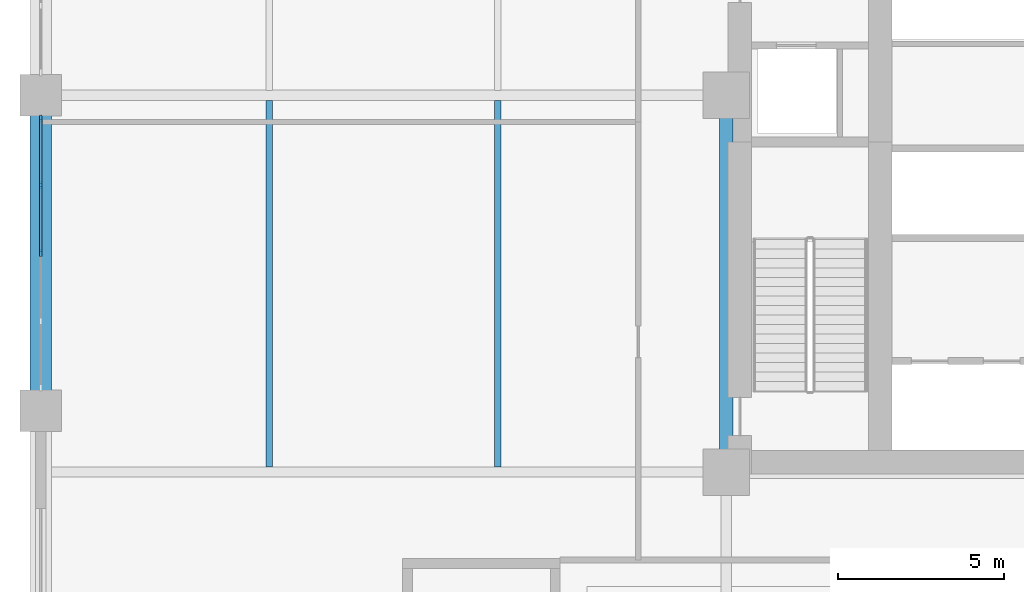
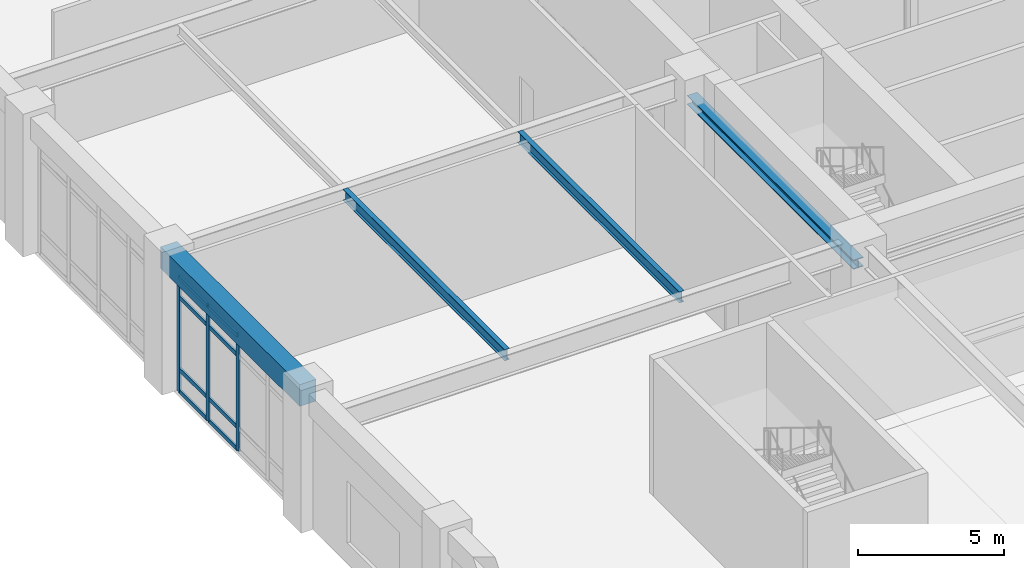
# One storey, part 3 of 21: 12 members, 3 beams, 1 element without a shape of its own.
"""IFC4 building model written with IfcOpenShell, lengths in metres."""

from ifc_helpers import new_model, si_unit, direction, frame, origin, origin_2d, place, context, subcontext, project, spatial, rectangle, i_section, extrude, material, layer, layer_set, material_profile, profile_set, type_object, element, aggregate, save


model = new_model("IFC4")

# Units and contexts
model_context = context("Model", 3, precision=1e-05, world=origin(), true_north=direction((0.0, 1.0)))
body_context = subcontext(model_context, "Body", "Model", "MODEL_VIEW")
ifc_project = project(units=[si_unit("LENGTHUNIT", "METRE"), si_unit("AREAUNIT", "SQUARE_METRE"), si_unit("VOLUMEUNIT", "CUBIC_METRE"), si_unit("PLANEANGLEUNIT", "RADIAN"), si_unit("MASSUNIT", "GRAM", prefix="KILO")], contexts=[model_context])

# Site, building, storey
site_placement = place(None, origin())
site = spatial("IfcSite", under=ifc_project, at=site_placement, CompositionType="ELEMENT")
building_placement = place(site_placement, origin())
building = spatial("IfcBuilding", under=site, at=building_placement, Name="Nhamokura Convention Tower", CompositionType="ELEMENT")
storey_placement = place(building_placement, frame((0.0, 0.0, 17.85009765625)))
storey = spatial("IfcBuildingStorey", under=building, at=storey_placement, Name="L03", CompositionType="ELEMENT", Elevation=17.85009765625)

# Curtain wall, members
ifc_material_1 = material(Name="Anodised bronze aluminium AA6063-T6", Category="aluminium")
ifc_layer = layer(ifc_material_1, 0.199951171875)
ifc_layer_set = layer_set([ifc_layer], Name="CWSystem_ConventionFoyer")
curtain_wall_type = type_object("IfcCurtainWallType", Name="CWSystem_ConventionFoyer", PredefinedType="NOTDEFINED", material=ifc_layer_set)
curtain_wall_placement = place(storey_placement, origin())
curtain_wall = element("IfcCurtainWall", 1, at=curtain_wall_placement, inside=storey, type_object=curtain_wall_type, Name="L03 Curtain Wall ENV-L03-CW-W2", PredefinedType="NOTDEFINED")
ifc_material_2 = material(Name="Anodised bronze aluminium AA6063-T6", Category="aluminium")
ifc_material_profile_1 = material_profile(ifc_material_2, rectangle(XDim=0.074951171875, YDim=0.199951171875, at=origin_2d()))
ifc_profile_set_1 = profile_set([ifc_material_profile_1], Name="Anodised bronze aluminium AA6063-T6")
member_type_1 = type_object("IfcMemberType", Name="CWMullion_2", PredefinedType="MULLION", material=ifc_profile_set_1)
member_1_placement = place(storey_placement, frame((0.0, 27.25, 0.0), z_axis=(0.0, 0.0, 1.0), x_axis=(-1.0, 0.0, 0.0)))
member_1 = element("IfcMember", 2, at=member_1_placement, type_object=member_type_1, Name="CW-02 mullion 3", PredefinedType="MULLION", context=body_context, shape_type="SweptSolid", body=[
    extrude(rectangle(XDim=0.074951171875, YDim=0.199951171875, at=origin_2d()), origin(), (0.0, 0.0, 1.0), 4.809814453125),
])
member_2_placement = place(storey_placement, frame((0.0, 29.300048828125, 0.0), z_axis=(0.0, 0.0, 1.0), x_axis=(-1.0, 0.0, 0.0)))
member_2 = element("IfcMember", 3, at=member_2_placement, type_object=member_type_1, Name="CW-02 mullion 4", PredefinedType="MULLION", context=body_context, shape_type="SweptSolid", body=[
    extrude(rectangle(XDim=0.074951171875, YDim=0.199951171875, at=origin_2d()), origin(), (0.0, 0.0, 1.0), 4.809814453125),
])
member_3_placement = place(storey_placement, frame((0.0, 31.3125, 0.0), z_axis=(0.0, 0.0, 1.0), x_axis=(-1.0, 0.0, 0.0)))
member_3 = element("IfcMember", 4, at=member_3_placement, type_object=member_type_1, Name="CW-02 mullion 5", PredefinedType="MULLION", context=body_context, shape_type="SweptSolid", body=[
    extrude(rectangle(XDim=0.074951171875, YDim=0.199951171875, at=origin_2d()), origin(), (0.0, 0.0, 1.0), 4.809814453125),
])
ifc_material_3 = material(Name="Anodised bronze aluminium AA6063-T6", Category="aluminium")
ifc_material_profile_2 = material_profile(ifc_material_3, rectangle(XDim=0.074951171875, YDim=0.169921875, at=origin_2d()))
ifc_profile_set_2 = profile_set([ifc_material_profile_2], Name="Anodised bronze aluminium AA6063-T6")
member_type_2 = type_object("IfcMemberType", Name="CWTransom_2", PredefinedType="USERDEFINED", material=ifc_profile_set_2)
member_4_placement = place(storey_placement, frame((0.0, 27.28759765625, 0.037353515625), z_axis=(0.0, 1.0, 0.0), x_axis=(-1.0, 0.0, 0.0)))
member_4 = element("IfcMember", 5, at=member_4_placement, type_object=member_type_2, Name="CW-02 transom 3.1", ObjectType="TRANSOM", PredefinedType="USERDEFINED", context=body_context, shape_type="SweptSolid", body=[
    extrude(rectangle(XDim=0.074951171875, YDim=0.169921875, at=origin_2d()), origin(), (0.0, 0.0, 1.0), 1.974853515625),
])
member_5_placement = place(storey_placement, frame((0.0, 27.28759765625, 0.949951171875), z_axis=(0.0, 1.0, 0.0), x_axis=(-1.0, 0.0, 0.0)))
member_5 = element("IfcMember", 6, at=member_5_placement, type_object=member_type_2, Name="CW-02 transom 3.2", ObjectType="TRANSOM", PredefinedType="USERDEFINED", context=body_context, shape_type="SweptSolid", body=[
    extrude(rectangle(XDim=0.074951171875, YDim=0.169921875, at=origin_2d()), origin(), (0.0, 0.0, 1.0), 1.974853515625),
])
member_6_placement = place(storey_placement, frame((0.0, 27.28759765625, 3.9599609375), z_axis=(0.0, 1.0, 0.0), x_axis=(-1.0, 0.0, 0.0)))
member_6 = element("IfcMember", 7, at=member_6_placement, type_object=member_type_2, Name="CW-02 transom 3.3", ObjectType="TRANSOM", PredefinedType="USERDEFINED", context=body_context, shape_type="SweptSolid", body=[
    extrude(rectangle(XDim=0.074951171875, YDim=0.169921875, at=origin_2d()), origin(), (0.0, 0.0, 1.0), 1.974853515625),
])
member_7_placement = place(storey_placement, frame((0.0, 27.28759765625, 4.7724609375), z_axis=(0.0, 1.0, 0.0), x_axis=(-1.0, 0.0, 0.0)))
member_7 = element("IfcMember", 8, at=member_7_placement, type_object=member_type_2, Name="CW-02 transom 3.4", ObjectType="TRANSOM", PredefinedType="USERDEFINED", context=body_context, shape_type="SweptSolid", body=[
    extrude(rectangle(XDim=0.074951171875, YDim=0.169921875, at=origin_2d()), origin(), (0.0, 0.0, 1.0), 1.974853515625),
])
member_8_placement = place(storey_placement, frame((0.0, 29.33740234375, 0.037353515625), z_axis=(0.0, 1.0, 0.0), x_axis=(-1.0, 0.0, 0.0)))
member_8 = element("IfcMember", 9, at=member_8_placement, type_object=member_type_2, Name="CW-02 transom 4.1", ObjectType="TRANSOM", PredefinedType="USERDEFINED", context=body_context, shape_type="SweptSolid", body=[
    extrude(rectangle(XDim=0.074951171875, YDim=0.169921875, at=origin_2d()), origin(), (0.0, 0.0, 1.0), 1.9375),
])
member_9_placement = place(storey_placement, frame((0.0, 29.33740234375, 0.949951171875), z_axis=(0.0, 1.0, 0.0), x_axis=(-1.0, 0.0, 0.0)))
member_9 = element("IfcMember", 10, at=member_9_placement, type_object=member_type_2, Name="CW-02 transom 4.2", ObjectType="TRANSOM", PredefinedType="USERDEFINED", context=body_context, shape_type="SweptSolid", body=[
    extrude(rectangle(XDim=0.074951171875, YDim=0.169921875, at=origin_2d()), origin(), (0.0, 0.0, 1.0), 1.9375),
])
member_10_placement = place(storey_placement, frame((0.0, 29.33740234375, 3.9599609375), z_axis=(0.0, 1.0, 0.0), x_axis=(-1.0, 0.0, 0.0)))
member_10 = element("IfcMember", 11, at=member_10_placement, type_object=member_type_2, Name="CW-02 transom 4.3", ObjectType="TRANSOM", PredefinedType="USERDEFINED", context=body_context, shape_type="SweptSolid", body=[
    extrude(rectangle(XDim=0.074951171875, YDim=0.169921875, at=origin_2d()), origin(), (0.0, 0.0, 1.0), 1.9375),
])
member_11_placement = place(storey_placement, frame((0.0, 29.33740234375, 4.7724609375), z_axis=(0.0, 1.0, 0.0), x_axis=(-1.0, 0.0, 0.0)))
member_11 = element("IfcMember", 12, at=member_11_placement, type_object=member_type_2, Name="CW-02 transom 4.4", ObjectType="TRANSOM", PredefinedType="USERDEFINED", context=body_context, shape_type="SweptSolid", body=[
    extrude(rectangle(XDim=0.074951171875, YDim=0.169921875, at=origin_2d()), origin(), (0.0, 0.0, 1.0), 1.9375),
])
aggregate(curtain_wall, [member_1, member_2, member_3, member_4, member_5, member_6, member_7, member_8, member_9, member_10, member_11])

# Beams
ifc_material_4 = material(Name="Steel ASTM A992 Gr 50", Category="steel")
ifc_material_profile_3 = material_profile(ifc_material_4, i_section(OverallWidth=0.19189453125, OverallDepth=0.462890625, WebThickness=0.010498046875, FlangeThickness=0.017578125, at=origin_2d()))
ifc_profile_set_3 = profile_set([ifc_material_profile_3], Name="Steel ASTM A992 Gr 50")
beam_type_1 = type_object("IfcBeamType", Name="FloorJoist_W460X89", PredefinedType="JOIST", material=ifc_profile_set_3)
for number, where, z_axis, x_axis, name in (
    (13, (6.88330078125, 20.802001953125, 5.478515625), (0.0, 1.0, 0.0), (-1.0, 0.0, 0.0), "L03 Composite Floor Joist W1A"),
    (14, (13.7666015625, 20.802001953125, 5.478515625), (0.0, 1.0, 0.0), (-1.0, 0.0, 0.0), "L03 Composite Floor Joist W2A"),
):
    element("IfcBeam", number, at=place(storey_placement, frame(where, z_axis=z_axis, x_axis=x_axis)), inside=storey, type_object=beam_type_1, Name=name, PredefinedType="JOIST", context=body_context, shape_type="SweptSolid", body=[
        extrude(i_section(OverallWidth=0.19189453125, OverallDepth=0.462890625, WebThickness=0.010498046875, FlangeThickness=0.017578125, at=origin_2d()), origin(), (0.0, 0.0, 1.0), 11.0458984375),
    ])

# Member
ifc_material_5 = material(Name="Steel ASTM A572 Gr 50", Category="steel")
ifc_material_profile_4 = material_profile(ifc_material_5, i_section(OverallWidth=0.39794921875, OverallDepth=0.386962890625, WebThickness=0.02099609375, FlangeThickness=0.033203125, at=origin_2d()))
ifc_profile_set_4 = profile_set([ifc_material_profile_4], Name="Steel ASTM A572 Gr 50")
member_type_3 = type_object("IfcMemberType", Name="HallTrussChord_W360X262", PredefinedType="CHORD", material=ifc_profile_set_4)
member_12_placement = place(storey_placement, frame((20.64990234375, 20.64990234375, 4.559814453125), z_axis=(0.0, 1.0, 0.0), x_axis=(-1.0, 0.0, 0.0)))
element("IfcMember", 15, at=member_12_placement, inside=storey, type_object=member_type_3, Name="L03 Convention Hall Truss Chord HTC-W", PredefinedType="CHORD", context=body_context, shape_type="SweptSolid", body=[
    extrude(i_section(OverallWidth=0.39794921875, OverallDepth=0.386962890625, WebThickness=0.02099609375, FlangeThickness=0.033203125, at=origin_2d()), origin(), (0.0, 0.0, 1.0), 11.35009765625),
])

# Beam
ifc_material_6 = material(Name="Concrete C60/75", Category="concrete")
ifc_material_profile_5 = material_profile(ifc_material_6, rectangle(XDim=0.64990234375, YDim=0.89990234375, at=origin_2d()))
ifc_profile_set_5 = profile_set([ifc_material_profile_5], Name="Concrete C60/75")
beam_type_2 = type_object("IfcBeamType", Name="TubeSpandrel_900", PredefinedType="SPANDREL", material=ifc_profile_set_5)
beam_placement = place(storey_placement, frame((0.0, 22.5, 5.260009765625), z_axis=(0.0, 1.0, 0.0), x_axis=(-1.0, 0.0, 0.0)))
element("IfcBeam", 16, at=beam_placement, inside=storey, type_object=beam_type_2, Name="L03 Perimeter Spandrel WEST 3", PredefinedType="SPANDREL", context=body_context, shape_type="SweptSolid", body=[
    extrude(rectangle(XDim=0.64990234375, YDim=0.89990234375, at=origin_2d()), origin(), (0.0, 0.0, 1.0), 9.5),
])

save(model, "model.ifc")
